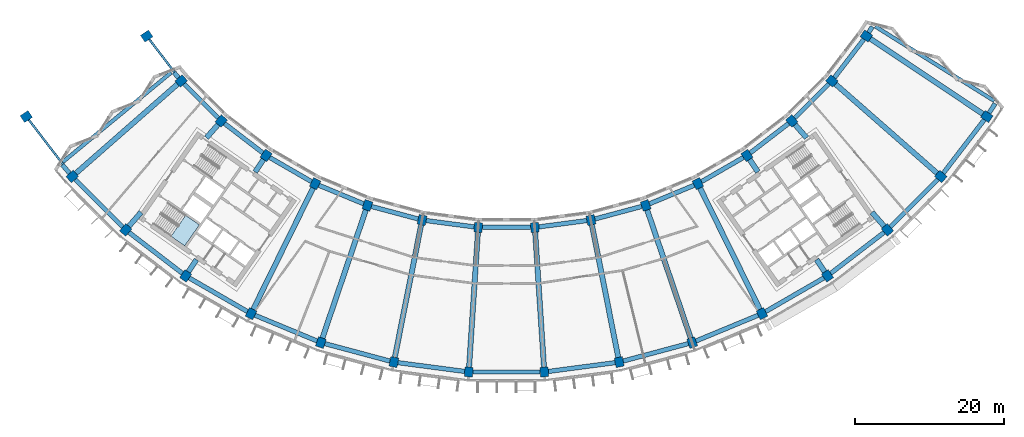
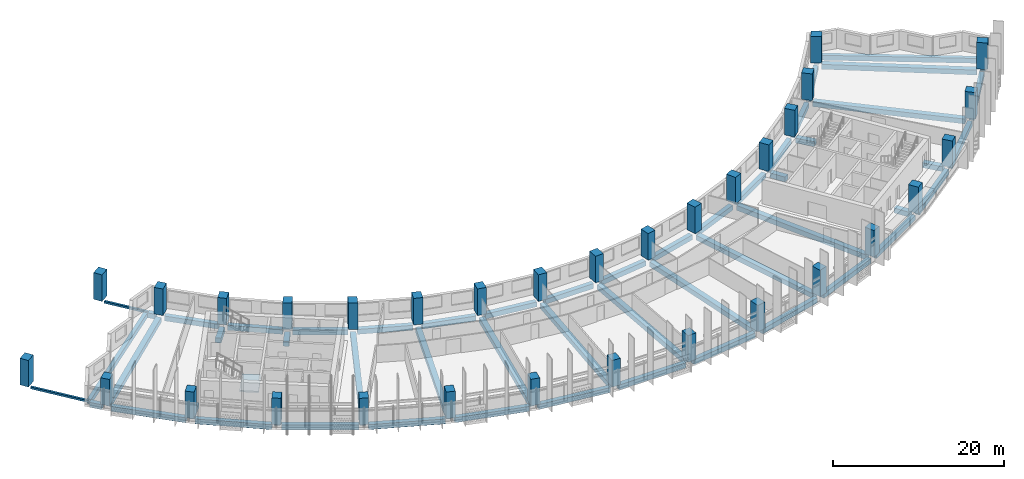
# One storey, part 1 of 27: 53 beams, 32 columns, 2 members, 1 slab, 1 element without a shape of its own.
"""IFC4 building model written with IfcOpenShell, lengths in metres."""

import ifcopenshell
import ifcopenshell.guid

model = None  # the IFC model being written
_history = None  # IfcOwnerHistory: only IFC2X3 demands one
_inside = {}  # id of a spatial element -> (the spatial element, [elements in it])
_under = {}  # id of a project, library or spatial element -> (it, [spatial elements below it])
_declared = {}  # id of a project -> (the project, [libraries it declares])
_typed = {}  # id of a type object -> (the type object, [elements of that type])
_made_of = {}  # id of a material, layer set ... -> (it, [elements and type objects made of it])


def new_model(schema):
    """Start an empty IFC model of exactly this schema.

    Asked for "IFC4X3", IfcOpenShell would pick the latest addendum, in which some entities
    have other attributes; the version numbers below select the first issue.
    IFC2X3 requires an IfcOwnerHistory on every rooted entity: one is made here for all.
    """
    global model, _history
    if schema == "IFC4X3":
        model = ifcopenshell.file(schema_version=(4, 3, 0, 0))
    else:
        model = ifcopenshell.file(schema=schema)
    _inside.clear()
    _under.clear()
    _declared.clear()
    _typed.clear()
    _made_of.clear()
    _history = None
    if model.schema == "IFC2X3":
        org = make("IfcOrganization", Name="unknown")
        user = make(
            "IfcPersonAndOrganization",
            ThePerson=make("IfcPerson", FamilyName="unknown"),
            TheOrganization=org,
        )
        app = make(
            "IfcApplication",
            ApplicationDeveloper=org,
            Version="unknown",
            ApplicationFullName="unknown",
            ApplicationIdentifier="unknown",
        )
        _history = make(
            "IfcOwnerHistory",
            OwningUser=user,
            OwningApplication=app,
            ChangeAction="ADDED",
            CreationDate=0,
        )
    return model


def make(cls, **values):
    """One entity of the class cls with the attributes given. An attribute that is None is left unset."""
    return model.create_entity(
        cls, **{name: value for name, value in values.items() if value is not None}
    )


def rooted(cls, **values):
    """An entity with a GlobalId (a new one), such as an element, a storey or a relation."""
    return make(cls, GlobalId=ifcopenshell.guid.new(), OwnerHistory=_history, **values)


def si_unit(unit_type, name, prefix=None):
    """IfcSIUnit, for example si_unit("LENGTHUNIT", "METRE", prefix="MILLI")."""
    return make("IfcSIUnit", UnitType=unit_type, Prefix=prefix, Name=name)


def assignment(units):
    """IfcUnitAssignment: the units of a project."""
    return None if units is None else make("IfcUnitAssignment", Units=units)


def point(xyz):
    """IfcCartesianPoint."""
    return None if xyz is None else make("IfcCartesianPoint", Coordinates=xyz)


def direction(xyz):
    """IfcDirection."""
    return None if xyz is None else make("IfcDirection", DirectionRatios=xyz)


def frame(location, z_axis=None, x_axis=None):
    """IfcAxis2Placement3D, a coordinate frame: its origin and axes. An axis left out is left unset."""
    return make(
        "IfcAxis2Placement3D",
        Location=point(location),
        Axis=direction(z_axis),
        RefDirection=direction(x_axis),
    )


def frame_2d(location, x_axis=None):
    """IfcAxis2Placement2D, a coordinate frame in the plane: its origin and x axis."""
    return make(
        "IfcAxis2Placement2D", Location=point(location), RefDirection=direction(x_axis)
    )


def origin():
    """The frame at (0, 0, 0) with its axes left unset."""
    return frame((0.0, 0.0, 0.0))


def origin_2d():
    """The frame at (0, 0) in the plane with its x axis left unset."""
    return frame_2d((0.0, 0.0))


def place(relative_to, where):
    """IfcLocalPlacement: puts the frame where relative to a parent placement (None: the world)."""
    return make(
        "IfcLocalPlacement", PlacementRelTo=relative_to, RelativePlacement=where
    )


def context(
    kind, dimensions, precision=None, world=None, true_north=None, identifier=None
):
    """IfcGeometricRepresentationContext, for example the 3D "Model" context."""
    return make(
        "IfcGeometricRepresentationContext",
        ContextIdentifier=identifier,
        ContextType=kind,
        CoordinateSpaceDimension=dimensions,
        Precision=precision,
        WorldCoordinateSystem=world,
        TrueNorth=true_north,
    )


def subcontext(parent, identifier, kind, view, scale=None):
    """IfcGeometricRepresentationSubContext, for example "Body" below "Model"."""
    return make(
        "IfcGeometricRepresentationSubContext",
        ContextIdentifier=identifier,
        ContextType=kind,
        ParentContext=parent,
        TargetScale=scale,
        TargetView=view,
    )


def project(units=None, contexts=None):
    """IfcProject with its units and contexts."""
    return rooted(
        "IfcProject",
        Name="project",
        RepresentationContexts=contexts,
        UnitsInContext=assignment(units),
    )


def spatial(cls, under=None, at=None, **own):
    """A site, building, storey or space (cls), placed at a placement, below another one or the project."""
    s = rooted(cls, ObjectPlacement=at, **own)
    if under is not None:
        _under.setdefault(under.id(), (under, []))[1].append(s)
    return s


def polyline(points):
    """IfcPolyline through the points."""
    return make("IfcPolyline", Points=[point(p) for p in points])


def profile(cls, at=None, kind="AREA", **sizes):
    """A parametric profile (cls). Its sizes go by their IFC names, for example OverallWidth=200.0."""
    return make(cls, ProfileType=kind, Position=at, **sizes)


def rectangle(**sizes):
    """IfcRectangleProfileDef."""
    return profile("IfcRectangleProfileDef", **sizes)


def hollow_rectangle(**sizes):
    """IfcRectangleHollowProfileDef."""
    return profile("IfcRectangleHollowProfileDef", **sizes)


def outline(outer, holes=None, kind="AREA"):
    """IfcArbitraryClosedProfileDef: a profile drawn as a closed curve; with holes, ...WithVoids."""
    if holes is None:
        return make("IfcArbitraryClosedProfileDef", ProfileType=kind, OuterCurve=outer)
    return make(
        "IfcArbitraryProfileDefWithVoids",
        ProfileType=kind,
        OuterCurve=outer,
        InnerCurves=holes,
    )


def extrude(swept, where, along, depth):
    """IfcExtrudedAreaSolid: the profile swept, set in the frame where, extruded along a direction by depth."""
    return make(
        "IfcExtrudedAreaSolid",
        SweptArea=swept,
        Position=where,
        ExtrudedDirection=direction(along),
        Depth=depth,
    )


def shape(context_of_items, identifier, shape_type, items):
    """IfcShapeRepresentation: the items that make up one representation, for example the "Body"."""
    return make(
        "IfcShapeRepresentation",
        ContextOfItems=context_of_items,
        RepresentationIdentifier=identifier,
        RepresentationType=shape_type,
        Items=items,
    )


def material(Name=None, Category=None):
    """IfcMaterial."""
    return make("IfcMaterial", Name=Name, Category=Category)


def layer(
    of_material, thickness, ventilated=None, Name=None, Category=None, Priority=None
):
    """IfcMaterialLayer: one layer of a wall or slab, of a material (None: an air gap)."""
    return make(
        "IfcMaterialLayer",
        Material=of_material,
        LayerThickness=thickness,
        IsVentilated=ventilated,
        Name=Name,
        Category=Category,
        Priority=Priority,
    )


def layer_set(layers, Name=None):
    """IfcMaterialLayerSet."""
    return make("IfcMaterialLayerSet", MaterialLayers=layers, LayerSetName=Name)


def material_profile(
    of_material, cross_section, Name=None, Category=None, Priority=None
):
    """IfcMaterialProfile: a cross section and its material."""
    return make(
        "IfcMaterialProfile",
        Name=Name,
        Material=of_material,
        Profile=cross_section,
        Priority=Priority,
        Category=Category,
    )


def profile_set(profiles, Name=None, composite=None):
    """IfcMaterialProfileSet."""
    return make(
        "IfcMaterialProfileSet",
        Name=Name,
        MaterialProfiles=profiles,
        CompositeProfile=composite,
    )


def made_of(thing, what):
    """Note that an element or type object is made of a material, layer set ...; save() writes the relation."""
    if what is not None:
        _made_of.setdefault(what.id(), (what, []))[1].append(thing)
    return thing


def type_object(cls, material=None, **own):
    """A type object (cls), such as IfcWallType, which elements share."""
    return made_of(rooted(cls, **own), material)


def element(
    cls,
    number,
    at=None,
    inside=None,
    cuts=None,
    type_object=None,
    material=None,
    context=None,
    identifier="Body",
    shape_type=None,
    held_by="IfcProductDefinitionShape",
    body=None,
    shapes=None,
    **own,
):
    """One element of the class cls, such as IfcWall. Its Tag is "e" and its number.

    at: its placement. inside: the storey or other place that contains it. cuts: it is an
    opening in that element (IfcRelVoidsElement). A single representation is given by context,
    identifier, shape_type and body (its items); several are given by shapes. held_by: the class
    of the entity that holds the representations. save() writes the other relations.
    """
    e = rooted(cls, Tag="e%d" % number, ObjectPlacement=at, **own)
    if body is not None:
        shapes = [shape(context, identifier, shape_type, body)]
    if shapes is not None:
        e.Representation = make(held_by, Representations=shapes)
    if inside is not None:
        _inside.setdefault(inside.id(), (inside, []))[1].append(e)
    if cuts is not None:
        rooted(
            "IfcRelVoidsElement", RelatingBuildingElement=cuts, RelatedOpeningElement=e
        )
    if type_object is not None:
        _typed.setdefault(type_object.id(), (type_object, []))[1].append(e)
    return made_of(e, material)


def aggregate(whole, parts):
    """IfcRelAggregates: a whole, such as a stair, and the parts it consists of."""
    return rooted("IfcRelAggregates", RelatingObject=whole, RelatedObjects=parts)


def save(model, path):
    """Write the relations noted so far, then the file.

    IfcRelAggregates (storeys below a building ...), IfcRelContainedInSpatialStructure (elements
    in a storey), IfcRelDefinesByType, IfcRelAssociatesMaterial and IfcRelDeclares: one each for
    every whole, place, type object, material and project.
    """
    for whole, parts in _under.values():
        aggregate(whole, parts)
    for where, things in _inside.values():
        rooted(
            "IfcRelContainedInSpatialStructure",
            RelatedElements=things,
            RelatingStructure=where,
        )
    for kind, things in _typed.values():
        rooted("IfcRelDefinesByType", RelatedObjects=things, RelatingType=kind)
    for what, things in _made_of.values():
        rooted("IfcRelAssociatesMaterial", RelatedObjects=things, RelatingMaterial=what)
    for by, libraries in _declared.values():
        rooted("IfcRelDeclares", RelatingContext=by, RelatedDefinitions=libraries)
    model.write(path)


model = new_model("IFC4")

# Units and contexts
model_context = context("Model", 3, precision=1e-05, world=origin(), true_north=direction((0.0, 1.0)))
body_context = subcontext(model_context, "Body", "Model", "MODEL_VIEW")
ifc_project = project(units=[si_unit("LENGTHUNIT", "METRE"), si_unit("AREAUNIT", "SQUARE_METRE"), si_unit("VOLUMEUNIT", "CUBIC_METRE"), si_unit("PLANEANGLEUNIT", "RADIAN"), si_unit("MASSUNIT", "GRAM", prefix="KILO")], contexts=[model_context])

# Site, building, storey
site_placement = place(None, origin())
site = spatial("IfcSite", under=ifc_project, at=site_placement, CompositionType="ELEMENT")
building_placement = place(site_placement, origin())
building = spatial("IfcBuilding", under=site, at=building_placement, Name="Qamariyya Broadcast Tower", CompositionType="ELEMENT")
storey_placement = place(building_placement, frame((0.0, 0.0, 164.5)))
storey = spatial("IfcBuildingStorey", under=building, at=storey_placement, Name="L38", CompositionType="ELEMENT", Elevation=164.5)

# Columns
ifc_material_1 = material(Name="Concrete C60/75", Category="concrete")
ifc_material_profile_1 = material_profile(ifc_material_1, rectangle(XDim=1.10009765625, YDim=1.300048828125, at=origin_2d()))
ifc_profile_set_1 = profile_set([ifc_material_profile_1], Name="Concrete C60/75")
column_type = type_object("IfcColumnType", Name="RC column 1100 x 1300 C60/75", PredefinedType="COLUMN", material=ifc_profile_set_1)
for number, where, z_axis, x_axis, name in (
    (1, (-43.794677734375, -38.406982421875, 0.0), (0.0, 0.0, 1.0), (0.6593458151, -0.751839807479, 0.0), "Column C8 L38 B-R04"),
    (2, (-58.45556640625, -51.26416015625, 0.0), (0.0, 0.0, 1.0), (0.6593458151, -0.751839807479, 0.0), "Column C8 L38 C-R04"),
    (3, (-38.406982421875, -43.794677734375, 0.0), (0.0, 0.0, 1.0), (0.751839807479, -0.6593458151, 0.0), "Column C8 L38 B-R05"),
    (4, (-51.26416015625, -58.45556640625, 0.0), (0.0, 0.0, 1.0), (0.751839807479, -0.6593458151, 0.0), "Column C8 L38 C-R05"),
    (5, (-32.362060546875, -48.43310546875, 0.0), (0.0, 0.0, 1.0), (0.831469612303, -0.55557023302, 0.0), "Column C8 L38 B-R06"),
    (6, (-43.195556640625, -64.646728515625, 0.0), (0.0, 0.0, 1.0), (0.831469612303, -0.55557023302, 0.0), "Column C8 L38 C-R06"),
    (7, (-25.763427734375, -52.242919921875, 0.0), (0.0, 0.0, 1.0), (0.896872741533, -0.442288690219, 0.0), "Column C8 L38 B-R07"),
    (8, (-34.387939453125, -69.73193359375, 0.0), (0.0, 0.0, 1.0), (0.896872741533, -0.442288690219, 0.0), "Column C8 L38 C-R07"),
    (9, (-18.723876953125, -55.15869140625, 0.0), (0.0, 0.0, 1.0), (0.946930129495, -0.321439465303, 0.0), "Column C8 L38 B-R08"),
    (10, (-24.991943359375, -73.623779296875, 0.0), (0.0, 0.0, 1.0), (0.946930129495, -0.321439465303, 0.0), "Column C8 L38 C-R08"),
    (11, (-11.364013671875, -57.130859375, 0.0), (0.0, 0.0, 1.0), (0.980785280403, -0.195090322016, 0.0), "Column C8 L38 B-R09"),
    (12, (-15.168212890625, -76.256103515625, 0.0), (0.0, 0.0, 1.0), (0.980785280403, -0.195090322016, 0.0), "Column C8 L38 C-R09"),
    (13, (-3.809814453125, -58.125244140625, 0.0), (0.0, 0.0, 1.0), (0.997858923239, -0.06540312923, 0.0), "Column C8 L38 B-R10"),
    (14, (-5.085205078125, -77.58349609375, 0.0), (0.0, 0.0, 1.0), (0.997858923239, -0.06540312923, 0.0), "Column C8 L38 C-R10"),
    (15, (3.809814453125, -58.125244140625, 0.0), (0.0, 0.0, 1.0), (0.997858923239, 0.06540312923, 0.0), "Column C8 L38 B-R11"),
    (16, (5.085205078125, -77.58349609375, 0.0), (0.0, 0.0, 1.0), (0.997858923239, 0.06540312923, 0.0), "Column C8 L38 C-R11"),
    (17, (11.364013671875, -57.130859375, 0.0), (0.0, 0.0, 1.0), (0.980785280403, 0.195090322016, 0.0), "Column C8 L38 B-R12"),
    (18, (15.168212890625, -76.256103515625, 0.0), (0.0, 0.0, 1.0), (0.980785280403, 0.195090322016, 0.0), "Column C8 L38 C-R12"),
    (19, (18.723876953125, -55.15869140625, 0.0), (0.0, 0.0, 1.0), (0.946930129495, 0.321439465303, 0.0), "Column C8 L38 B-R13"),
    (20, (24.991943359375, -73.623779296875, 0.0), (0.0, 0.0, 1.0), (0.946930129495, 0.321439465303, 0.0), "Column C8 L38 C-R13"),
    (21, (25.763427734375, -52.242919921875, 0.0), (0.0, 0.0, 1.0), (0.896872741533, 0.442288690219, 0.0), "Column C8 L38 B-R14"),
    (22, (34.387939453125, -69.73193359375, 0.0), (0.0, 0.0, 1.0), (0.896872741533, 0.442288690219, 0.0), "Column C8 L38 C-R14"),
    (23, (32.362060546875, -48.43310546875, 0.0), (0.0, 0.0, 1.0), (0.831469612303, 0.55557023302, 0.0), "Column C8 L38 B-R15"),
    (24, (43.195556640625, -64.646728515625, 0.0), (0.0, 0.0, 1.0), (0.831469612303, 0.55557023302, 0.0), "Column C8 L38 C-R15"),
    (25, (38.406982421875, -43.794677734375, 0.0), (0.0, 0.0, 1.0), (0.751839807479, 0.6593458151, 0.0), "Column C8 L38 B-R16"),
    (26, (51.26416015625, -58.45556640625, 0.0), (0.0, 0.0, 1.0), (0.751839807479, 0.6593458151, 0.0), "Column C8 L38 C-R16"),
    (27, (43.794677734375, -38.406982421875, 0.0), (0.0, 0.0, 1.0), (0.6593458151, 0.751839807479, 0.0), "Column C8 L38 B-R17"),
    (28, (58.45556640625, -51.26416015625, 0.0), (0.0, 0.0, 1.0), (0.6593458151, 0.751839807479, 0.0), "Column C8 L38 C-R17"),
    (29, (48.43310546875, -32.362060546875, 0.0), (0.0, 0.0, 1.0), (0.55557023302, 0.831469612303, 0.0), "Column C8 L38 B-R18"),
    (30, (64.646728515625, -43.195556640625, 0.0), (0.0, 0.0, 1.0), (0.55557023302, 0.831469612303, 0.0), "Column C8 L38 C-R18"),
    (31, (-48.43310546875, -32.362060546875, 0.0), (0.0, 0.0, 1.0), (0.55557023302, -0.831469612303, 0.0), "Column C8 L38 B-R03"),
    (32, (-64.646728515625, -43.195556640625, 0.0), (0.0, 0.0, 1.0), (0.55557023302, -0.831469612303, 0.0), "Column C8 L38 C-R03"),
):
    element("IfcColumn", number, at=place(storey_placement, frame(where, z_axis=z_axis, x_axis=x_axis)), inside=storey, type_object=column_type, Name=name, PredefinedType="COLUMN", context=body_context, shape_type="SweptSolid", body=[
        extrude(rectangle(XDim=1.10009765625, YDim=1.300048828125, at=origin_2d()), origin(), (0.0, 0.0, 1.0), 3.800048828125),
    ])

# Members
ifc_material_2 = material(Name="Steel S355", Category="steel")
ifc_material_profile_2 = material_profile(ifc_material_2, hollow_rectangle(XDim=0.300048828125, YDim=0.300048828125, WallThickness=0.012451171875, InnerFilletRadius=0.012451171875, OuterFilletRadius=0.02490234375, at=origin_2d()))
ifc_profile_set_2 = profile_set([ifc_material_profile_2], Name="Steel S355")
member_type = type_object("IfcMemberType", Name="Pylon tie RHS 300x300x12.5", PredefinedType="STRUT", material=ifc_profile_set_2)
member_1_placement = place(storey_placement, frame((-44.130126953125, -37.9697265625, -0.449951171875), z_axis=(-0.608774374473, 0.793343406719, 0.0), x_axis=(-0.793343406719, -0.608774374473, 0.0)))
element("IfcMember", 33, at=member_1_placement, inside=storey, type_object=member_type, Name="Pylon tie T1 L38 B-R03", PredefinedType="STRUT", context=body_context, shape_type="SweptSolid", body=[
    extrude(hollow_rectangle(XDim=0.300048828125, YDim=0.300048828125, WallThickness=0.012451171875, InnerFilletRadius=0.012451171875, OuterFilletRadius=0.02490234375, at=origin_2d()), origin(), (0.0, 0.0, 1.0), 6.517333984375),
])
member_2_placement = place(storey_placement, frame((-58.791015625, -50.826904296875, -0.449951171875), z_axis=(-0.608764405458, 0.793351056372, 0.0), x_axis=(-0.793351056372, -0.608764405458, 0.0)))
element("IfcMember", 34, at=member_2_placement, inside=storey, type_object=member_type, Name="Pylon tie T1 L38 C-R03", PredefinedType="STRUT", context=body_context, shape_type="SweptSolid", body=[
    extrude(hollow_rectangle(XDim=0.300048828125, YDim=0.300048828125, WallThickness=0.012451171875, InnerFilletRadius=0.012451171875, OuterFilletRadius=0.02490234375, at=origin_2d()), origin(), (0.0, 0.0, 1.0), 9.06787109375),
])

# Beams
ifc_material_3 = material(Name="Concrete C40/50", Category="concrete")
ifc_material_profile_3 = material_profile(ifc_material_3, rectangle(XDim=0.60009765625, YDim=0.699951171875, at=origin_2d()))
ifc_profile_set_3 = profile_set([ifc_material_profile_3], Name="Concrete C40/50")
beam_type_1 = type_object("IfcBeamType", Name="RC edge beam 600 x 700 C40/50", PredefinedType="SPANDREL", material=ifc_profile_set_3)
for number, where, z_axis, x_axis, name in (
    (35, (-43.405029296875, -38.796630859375, -0.64990234375), (0.707106781187, -0.707106781187, 0.0), (0.707106781187, 0.707106781187, 0.0), "Edge beam B20 L38 B R04-R05"),
    (36, (-37.9697265625, -44.130126953125, -0.64990234375), (0.793343406719, -0.608774374473, 0.0), (0.608774374473, 0.793343406719, 0.0), "Edge beam B20 L38 B R05-R06"),
):
    element("IfcBeam", number, at=place(storey_placement, frame(where, z_axis=z_axis, x_axis=x_axis)), inside=storey, type_object=beam_type_1, Name=name, PredefinedType="SPANDREL", context=body_context, shape_type="SweptSolid", body=[
        extrude(rectangle(XDim=0.60009765625, YDim=0.699951171875, at=origin_2d()), origin(), (0.0, 0.0, 1.0), 6.517333984375),
    ])
beam_1_placement = place(storey_placement, frame((-31.884521484375, -48.708740234375, -0.64990234375), z_axis=(0.866019015165, -0.500011065251, 0.0), x_axis=(0.500011065251, 0.866019015165, 0.0)))
element("IfcBeam", 37, at=beam_1_placement, inside=storey, type_object=beam_type_1, Name="Edge beam B20 L38 B R06-R07", PredefinedType="SPANDREL", context=body_context, shape_type="SweptSolid", body=[
    extrude(rectangle(XDim=0.60009765625, YDim=0.699951171875, at=origin_2d()), origin(), (0.0, 0.0, 1.0), 6.516845703125),
])
for number, where, z_axis, x_axis, name in (
    (38, (-25.254150390625, -52.453857421875, -0.64990234375), (0.923883967792, -0.382672724475, 0.0), (0.382672724475, 0.923883967792, 0.0), "Edge beam B20 L38 B R07-R08"),
    (39, (-18.19140625, -55.30126953125, -0.64990234375), (0.965923971679, -0.258825966504, 0.0), (0.258825966504, 0.965923971679, 0.0), "Edge beam B20 L38 B R08-R09"),
    (40, (-10.817626953125, -57.20263671875, -0.64990234375), (0.991446388377, -0.130514592953, 0.0), (0.130514592953, 0.991446388377, 0.0), "Edge beam B20 L38 B R09-R10"),
    (41, (-3.258544921875, -58.125244140625, -0.64990234375), (1.0, 0.0, 0.0), (0.0, 1.0, 0.0), "Edge beam B20 L38 B R10-R11"),
    (42, (4.356201171875, -58.05322265625, -0.64990234375), (0.991446388377, 0.130514592953, 0.0), (-0.130514592953, 0.991446388377, 0.0), "Edge beam B20 L38 B R11-R12"),
    (43, (11.896484375, -56.988037109375, -0.64990234375), (0.965923971679, 0.258825966504, 0.0), (-0.258825966504, 0.965923971679, 0.0), "Edge beam B20 L38 B R12-R13"),
    (44, (19.233154296875, -54.94775390625, -0.64990234375), (0.923883967792, 0.382672724475, 0.0), (-0.382672724475, 0.923883967792, 0.0), "Edge beam B20 L38 B R13-R14"),
):
    element("IfcBeam", number, at=place(storey_placement, frame(where, z_axis=z_axis, x_axis=x_axis)), inside=storey, type_object=beam_type_1, Name=name, PredefinedType="SPANDREL", context=body_context, shape_type="SweptSolid", body=[
        extrude(rectangle(XDim=0.60009765625, YDim=0.699951171875, at=origin_2d()), origin(), (0.0, 0.0, 1.0), 6.51708984375),
    ])
beam_2_placement = place(storey_placement, frame((26.24072265625, -51.96728515625, -0.64990234375), z_axis=(0.866019015165, 0.500011065251, 0.0), x_axis=(-0.500011065251, 0.866019015165, 0.0)))
element("IfcBeam", 45, at=beam_2_placement, inside=storey, type_object=beam_type_1, Name="Edge beam B20 L38 B R14-R15", PredefinedType="SPANDREL", context=body_context, shape_type="SweptSolid", body=[
    extrude(rectangle(XDim=0.60009765625, YDim=0.699951171875, at=origin_2d()), origin(), (0.0, 0.0, 1.0), 6.516845703125),
])
for number, where, z_axis, x_axis, name in (
    (46, (32.79931640625, -48.09765625, -0.64990234375), (0.793343406719, 0.608774374473, 0.0), (-0.608774374473, 0.793343406719, 0.0), "Edge beam B20 L38 B R15-R16"),
    (47, (38.796630859375, -43.405029296875, -0.64990234375), (0.707106781187, 0.707106781187, 0.0), (-0.707106781187, 0.707106781187, 0.0), "Edge beam B20 L38 B R16-R17"),
    (48, (44.130126953125, -37.9697265625, -0.64990234375), (0.608774374473, 0.793343406719, 0.0), (-0.793343406719, 0.608774374473, 0.0), "Edge beam B20 L38 B R17-R18"),
):
    element("IfcBeam", number, at=place(storey_placement, frame(where, z_axis=z_axis, x_axis=x_axis)), inside=storey, type_object=beam_type_1, Name=name, PredefinedType="SPANDREL", context=body_context, shape_type="SweptSolid", body=[
        extrude(rectangle(XDim=0.60009765625, YDim=0.699951171875, at=origin_2d()), origin(), (0.0, 0.0, 1.0), 6.517333984375),
    ])
beam_3_placement = place(storey_placement, frame((-58.06591796875, -51.65380859375, -0.64990234375), z_axis=(0.707106781187, -0.707106781187, 0.0), x_axis=(0.707106781187, 0.707106781187, 0.0)))
element("IfcBeam", 49, at=beam_3_placement, inside=storey, type_object=beam_type_1, Name="Edge beam B20 L38 C R04-R05", PredefinedType="SPANDREL", context=body_context, shape_type="SweptSolid", body=[
    extrude(rectangle(XDim=0.60009765625, YDim=0.699951171875, at=origin_2d()), origin(), (0.0, 0.0, 1.0), 9.068115234375),
])
for number, where, z_axis, x_axis, name in (
    (50, (-50.826904296875, -58.791015625, -0.64990234375), (0.793351056372, -0.608764405458, 0.0), (0.608764405458, 0.793351056372, 0.0), "Edge beam B20 L38 C R05-R06"),
    (51, (-42.71826171875, -64.92236328125, -0.64990234375), (0.866025972227, -0.499999015427, 0.0), (0.499999015427, 0.866025972227, 0.0), "Edge beam B20 L38 C R06-R07"),
):
    element("IfcBeam", number, at=place(storey_placement, frame(where, z_axis=z_axis, x_axis=x_axis)), inside=storey, type_object=beam_type_1, Name=name, PredefinedType="SPANDREL", context=body_context, shape_type="SweptSolid", body=[
        extrude(rectangle(XDim=0.60009765625, YDim=0.699951171875, at=origin_2d()), origin(), (0.0, 0.0, 1.0), 9.06787109375),
    ])
beam_4_placement = place(storey_placement, frame((-33.878662109375, -69.94287109375, -0.64990234375), z_axis=(0.923882618409, -0.382675982265, 0.0), x_axis=(0.382675982265, 0.923882618409, 0.0)))
element("IfcBeam", 52, at=beam_4_placement, inside=storey, type_object=beam_type_1, Name="Edge beam B20 L38 C R07-R08", PredefinedType="SPANDREL", context=body_context, shape_type="SweptSolid", body=[
    extrude(rectangle(XDim=0.60009765625, YDim=0.699951171875, at=origin_2d()), origin(), (0.0, 0.0, 1.0), 9.067626953125),
])
for number, where, z_axis, x_axis, name in (
    (53, (-24.45947265625, -73.766357421875, -0.64990234375), (0.965925457615, -0.258820421007, 0.0), (0.258820421007, 0.965925457615, 0.0), "Edge beam B20 L38 C R08-R09"),
    (54, (-14.621826171875, -76.327880859375, -0.64990234375), (0.991444762322, -0.130526944594, 0.0), (0.130526944594, 0.991444762322, 0.0), "Edge beam B20 L38 C R09-R10"),
    (55, (-4.533935546875, -77.58349609375, -0.64990234375), (1.0, 0.0, 0.0), (0.0, 1.0, 0.0), "Edge beam B20 L38 C R10-R11"),
    (56, (5.631591796875, -77.511474609375, -0.64990234375), (0.991444762322, 0.130526944594, 0.0), (-0.130526944594, 0.991444762322, 0.0), "Edge beam B20 L38 C R11-R12"),
    (57, (15.70068359375, -76.11328125, -0.64990234375), (0.965925457615, 0.258820421007, 0.0), (-0.258820421007, 0.965925457615, 0.0), "Edge beam B20 L38 C R12-R13"),
):
    element("IfcBeam", number, at=place(storey_placement, frame(where, z_axis=z_axis, x_axis=x_axis)), inside=storey, type_object=beam_type_1, Name=name, PredefinedType="SPANDREL", context=body_context, shape_type="SweptSolid", body=[
        extrude(rectangle(XDim=0.60009765625, YDim=0.699951171875, at=origin_2d()), origin(), (0.0, 0.0, 1.0), 9.06787109375),
    ])
beam_5_placement = place(storey_placement, frame((25.501220703125, -73.412841796875, -0.64990234375), z_axis=(0.923882618409, 0.382675982265, 0.0), x_axis=(-0.382675982265, 0.923882618409, 0.0)))
element("IfcBeam", 58, at=beam_5_placement, inside=storey, type_object=beam_type_1, Name="Edge beam B20 L38 C R13-R14", PredefinedType="SPANDREL", context=body_context, shape_type="SweptSolid", body=[
    extrude(rectangle(XDim=0.60009765625, YDim=0.699951171875, at=origin_2d()), origin(), (0.0, 0.0, 1.0), 9.067626953125),
])
for number, where, z_axis, x_axis, name in (
    (59, (34.865234375, -69.456298828125, -0.64990234375), (0.866025972227, 0.499999015427, 0.0), (-0.499999015427, 0.866025972227, 0.0), "Edge beam B20 L38 C R14-R15"),
    (60, (43.6328125, -64.311279296875, -0.64990234375), (0.793351056372, 0.608764405458, 0.0), (-0.608764405458, 0.793351056372, 0.0), "Edge beam B20 L38 C R15-R16"),
):
    element("IfcBeam", number, at=place(storey_placement, frame(where, z_axis=z_axis, x_axis=x_axis)), inside=storey, type_object=beam_type_1, Name=name, PredefinedType="SPANDREL", context=body_context, shape_type="SweptSolid", body=[
        extrude(rectangle(XDim=0.60009765625, YDim=0.699951171875, at=origin_2d()), origin(), (0.0, 0.0, 1.0), 9.06787109375),
    ])
beam_6_placement = place(storey_placement, frame((51.65380859375, -58.06591796875, -0.64990234375), z_axis=(0.707106781187, 0.707106781187, 0.0), x_axis=(-0.707106781187, 0.707106781187, 0.0)))
element("IfcBeam", 61, at=beam_6_placement, inside=storey, type_object=beam_type_1, Name="Edge beam B20 L38 C R16-R17", PredefinedType="SPANDREL", context=body_context, shape_type="SweptSolid", body=[
    extrude(rectangle(XDim=0.60009765625, YDim=0.699951171875, at=origin_2d()), origin(), (0.0, 0.0, 1.0), 9.068115234375),
])
beam_7_placement = place(storey_placement, frame((58.791015625, -50.826904296875, -0.64990234375), z_axis=(0.608764405458, 0.793351056372, 0.0), x_axis=(-0.793351056372, 0.608764405458, 0.0)))
element("IfcBeam", 62, at=beam_7_placement, inside=storey, type_object=beam_type_1, Name="Edge beam B20 L38 C R17-R18", PredefinedType="SPANDREL", context=body_context, shape_type="SweptSolid", body=[
    extrude(rectangle(XDim=0.60009765625, YDim=0.699951171875, at=origin_2d()), origin(), (0.0, 0.0, 1.0), 9.06787109375),
])
ifc_material_profile_4 = material_profile(ifc_material_3, rectangle(XDim=0.60009765625, YDim=0.699951171875, at=origin_2d()))
ifc_profile_set_4 = profile_set([ifc_material_profile_4], Name="Concrete C40/50")
beam_type_2 = type_object("IfcBeamType", Name="RC horn beam 600 x 700 C40/50", PredefinedType="BEAM", material=ifc_profile_set_4)
beam_8_placement = place(storey_placement, frame((-44.151123046875, -37.988037109375, -0.64990234375), z_axis=(-0.648096048004, 0.761558607437, 0.0), x_axis=(-0.761558607437, -0.648096048004, 0.0)))
element("IfcBeam", 63, at=beam_8_placement, inside=storey, type_object=beam_type_2, Name="Horn beam B19 L38 W B-R04", PredefinedType="BEAM", context=body_context, shape_type="SweptSolid", body=[
    extrude(rectangle(XDim=0.60009765625, YDim=0.699951171875, at=origin_2d()), origin(), (0.0, 0.0, 1.0), 0.933837890625),
])
beam_9_placement = place(storey_placement, frame((-58.81201171875, -50.84521484375, -0.64990234375), z_axis=(-0.648078843707, 0.761573248177, 0.0), x_axis=(-0.761573248177, -0.648078843707, 0.0)))
element("IfcBeam", 64, at=beam_9_placement, inside=storey, type_object=beam_type_2, Name="Horn beam B19 L38 W C-R04", PredefinedType="BEAM", context=body_context, shape_type="SweptSolid", body=[
    extrude(rectangle(XDim=0.60009765625, YDim=0.699951171875, at=origin_2d()), origin(), (0.0, 0.0, 1.0), 1.514404296875),
])
beam_10_placement = place(storey_placement, frame((48.73193359375, -31.900146484375, -0.64990234375), z_axis=(0.543001933823, 0.839731445085, 0.0), x_axis=(-0.839731445085, 0.543001933823, 0.0)))
element("IfcBeam", 65, at=beam_10_placement, inside=storey, type_object=beam_type_2, Name="Horn beam B19 L38 E B-R18", PredefinedType="BEAM", context=body_context, shape_type="SweptSolid", body=[
    extrude(rectangle(XDim=0.60009765625, YDim=0.699951171875, at=origin_2d()), origin(), (0.0, 0.0, 1.0), 0.933837890625),
])
beam_11_placement = place(storey_placement, frame((64.945556640625, -42.733642578125, -0.64990234375), z_axis=(0.543151003155, 0.839635032482, 0.0), x_axis=(-0.839635032482, 0.543151003155, 0.0)))
element("IfcBeam", 66, at=beam_11_placement, inside=storey, type_object=beam_type_2, Name="Horn beam B19 L38 E C-R18", PredefinedType="BEAM", context=body_context, shape_type="SweptSolid", body=[
    extrude(rectangle(XDim=0.60009765625, YDim=0.699951171875, at=origin_2d()), origin(), (0.0, 0.0, 1.0), 1.514404296875),
])
ifc_material_profile_5 = material_profile(ifc_material_3, rectangle(XDim=0.5, YDim=0.699951171875, at=origin_2d()))
ifc_profile_set_5 = profile_set([ifc_material_profile_5], Name="Concrete C40/50")
beam_type_3 = type_object("IfcBeamType", Name="RC horn cap beam 500 x 700 C40/50", PredefinedType="BEAM", material=ifc_profile_set_5)
for number, where, z_axis, x_axis, name in (
    (67, (-45.149658203125, -37.27734375, -0.64990234375), (-0.771132422827, -0.636674788621, 0.0), (0.636674788621, -0.771132422827, 0.0), "Horn cap beam B21 L38 W B-C"),
    (68, (49.629150390625, -31.065185546875, -0.64990234375), (0.847631622425, -0.530585179462, 0.0), (0.530585179462, 0.847631622425, 0.0), "Horn cap beam B21 L38 E B-C"),
):
    element("IfcBeam", number, at=place(storey_placement, frame(where, z_axis=z_axis, x_axis=x_axis)), inside=storey, type_object=beam_type_3, Name=name, PredefinedType="BEAM", context=body_context, shape_type="SweptSolid", body=[
        extrude(rectangle(XDim=0.5, YDim=0.699951171875, at=origin_2d()), origin(), (0.0, 0.0, 1.0), 18.900146484375),
    ])
ifc_material_profile_6 = material_profile(ifc_material_3, rectangle(XDim=0.699951171875, YDim=0.699951171875, at=origin_2d()))
ifc_profile_set_6 = profile_set([ifc_material_profile_6], Name="Concrete C40/50")
beam_type_4 = type_object("IfcBeamType", Name="RC radial beam 700 x 700 C40/50", PredefinedType="BEAM", material=ifc_profile_set_6)
beam_12_placement = place(storey_placement, frame((-44.283447265625, -38.83544921875, -0.64990234375), z_axis=(-0.751839141307, -0.659346574723, 0.0), x_axis=(0.659346574723, -0.751839141307, 0.0)))
element("IfcBeam", 69, at=beam_12_placement, inside=storey, type_object=beam_type_4, Name="Radial beam B18 L38 R04 B-C", PredefinedType="BEAM", context=body_context, shape_type="SweptSolid", body=[
    extrude(rectangle(XDim=0.699951171875, YDim=0.699951171875, at=origin_2d()), origin(), (0.0, 0.0, 1.0), 18.199951171875),
])
beam_13_placement = place(storey_placement, frame((-38.83544921875, -44.283447265625, -0.64990234375), z_axis=(-0.659381501846, -0.751808509544, 0.0), x_axis=(0.751808509544, -0.659381501846, 0.0)))
element("IfcBeam", 70, at=beam_13_placement, inside=storey, type_object=beam_type_4, Name="Radial beam B18 L38 R05 B-C", PredefinedType="BEAM", context=body_context, shape_type="SweptSolid", body=[
    extrude(rectangle(XDim=0.699951171875, YDim=0.699951171875, at=origin_2d()), origin(), (0.0, 0.0, 1.0), 2.364013671875),
])
beam_14_placement = place(storey_placement, frame((-49.1943359375, -56.095458984375, -0.64990234375), z_axis=(-0.659344451764, -0.75184100309, 0.0), x_axis=(0.75184100309, -0.659344451764, 0.0)))
element("IfcBeam", 71, at=beam_14_placement, inside=storey, type_object=beam_type_4, Name="Radial beam B18 L38 R05 B-C", PredefinedType="BEAM", context=body_context, shape_type="SweptSolid", body=[
    extrude(rectangle(XDim=0.699951171875, YDim=0.699951171875, at=origin_2d()), origin(), (0.0, 0.0, 1.0), 2.489013671875),
])
beam_15_placement = place(storey_placement, frame((-32.72314453125, -48.9736328125, -0.64990234375), z_axis=(-0.555594913414, -0.83145312086, 0.0), x_axis=(0.83145312086, -0.555594913414, 0.0)))
element("IfcBeam", 72, at=beam_15_placement, inside=storey, type_object=beam_type_4, Name="Radial beam B18 L38 R06 B-C", PredefinedType="BEAM", context=body_context, shape_type="SweptSolid", body=[
    extrude(rectangle(XDim=0.699951171875, YDim=0.699951171875, at=origin_2d()), origin(), (0.0, 0.0, 1.0), 2.014404296875),
])
beam_16_placement = place(storey_placement, frame((-41.733154296875, -62.458251953125, -0.64990234375), z_axis=(-0.555637861027, -0.831424420734, 0.0), x_axis=(0.831424420734, -0.555637861027, 0.0)))
element("IfcBeam", 73, at=beam_16_placement, inside=storey, type_object=beam_type_4, Name="Radial beam B18 L38 R06 B-C", PredefinedType="BEAM", context=body_context, shape_type="SweptSolid", body=[
    extrude(rectangle(XDim=0.699951171875, YDim=0.699951171875, at=origin_2d()), origin(), (0.0, 0.0, 1.0), 1.982177734375),
])
beam_17_placement = place(storey_placement, frame((-26.05078125, -52.82568359375, -0.64990234375), z_axis=(-0.44228110273, -0.896876483228, 0.0), x_axis=(0.896876483228, -0.44228110273, 0.0)))
element("IfcBeam", 74, at=beam_17_placement, inside=storey, type_object=beam_type_4, Name="Radial beam B18 L38 R07 B-C", PredefinedType="BEAM", context=body_context, shape_type="SweptSolid", body=[
    extrude(rectangle(XDim=0.699951171875, YDim=0.699951171875, at=origin_2d()), origin(), (0.0, 0.0, 1.0), 18.2001953125),
])
beam_18_placement = place(storey_placement, frame((-18.932861328125, -55.774169921875, -0.64990234375), z_axis=(-0.321434466477, -0.946931826353, 0.0), x_axis=(0.946931826353, -0.321434466477, 0.0)))
element("IfcBeam", 75, at=beam_18_placement, inside=storey, type_object=beam_type_4, Name="Radial beam B18 L38 R08 B-C", PredefinedType="BEAM", context=body_context, shape_type="SweptSolid", body=[
    extrude(rectangle(XDim=0.699951171875, YDim=0.699951171875, at=origin_2d()), origin(), (0.0, 0.0, 1.0), 18.199951171875),
])
beam_19_placement = place(storey_placement, frame((-11.49072265625, -57.768310546875, -0.64990234375), z_axis=(-0.195097061093, -0.980783939893, 0.0), x_axis=(0.980783939893, -0.195097061093, 0.0)))
element("IfcBeam", 76, at=beam_19_placement, inside=storey, type_object=beam_type_4, Name="Radial beam B18 L38 R09 B-C", PredefinedType="BEAM", context=body_context, shape_type="SweptSolid", body=[
    extrude(rectangle(XDim=0.699951171875, YDim=0.699951171875, at=origin_2d()), origin(), (0.0, 0.0, 1.0), 18.2001953125),
])
for number, where, z_axis, x_axis, name in (
    (77, (-3.852294921875, -58.77392578125, -0.64990234375), (-0.065395361188, -0.997859432353, 0.0), (0.997859432353, -0.065395361188, 0.0), "Radial beam B18 L38 R10 B-C"),
    (78, (3.852294921875, -58.77392578125, -0.64990234375), (0.065395361188, -0.997859432353, 0.0), (0.997859432353, 0.065395361188, 0.0), "Radial beam B18 L38 R11 B-C"),
):
    element("IfcBeam", number, at=place(storey_placement, frame(where, z_axis=z_axis, x_axis=x_axis)), inside=storey, type_object=beam_type_4, Name=name, PredefinedType="BEAM", context=body_context, shape_type="SweptSolid", body=[
        extrude(rectangle(XDim=0.699951171875, YDim=0.699951171875, at=origin_2d()), origin(), (0.0, 0.0, 1.0), 18.199951171875),
    ])
beam_20_placement = place(storey_placement, frame((11.49072265625, -57.768310546875, -0.64990234375), z_axis=(0.195097061093, -0.980783939893, 0.0), x_axis=(0.980783939893, 0.195097061093, 0.0)))
element("IfcBeam", 79, at=beam_20_placement, inside=storey, type_object=beam_type_4, Name="Radial beam B18 L38 R12 B-C", PredefinedType="BEAM", context=body_context, shape_type="SweptSolid", body=[
    extrude(rectangle(XDim=0.699951171875, YDim=0.699951171875, at=origin_2d()), origin(), (0.0, 0.0, 1.0), 18.2001953125),
])
beam_21_placement = place(storey_placement, frame((18.932861328125, -55.774169921875, -0.64990234375), z_axis=(0.321434466477, -0.946931826353, 0.0), x_axis=(0.946931826353, 0.321434466477, 0.0)))
element("IfcBeam", 80, at=beam_21_placement, inside=storey, type_object=beam_type_4, Name="Radial beam B18 L38 R13 B-C", PredefinedType="BEAM", context=body_context, shape_type="SweptSolid", body=[
    extrude(rectangle(XDim=0.699951171875, YDim=0.699951171875, at=origin_2d()), origin(), (0.0, 0.0, 1.0), 18.199951171875),
])
beam_22_placement = place(storey_placement, frame((26.05078125, -52.82568359375, -0.64990234375), z_axis=(0.44228110273, -0.896876483228, 0.0), x_axis=(0.896876483228, 0.44228110273, 0.0)))
element("IfcBeam", 81, at=beam_22_placement, inside=storey, type_object=beam_type_4, Name="Radial beam B18 L38 R14 B-C", PredefinedType="BEAM", context=body_context, shape_type="SweptSolid", body=[
    extrude(rectangle(XDim=0.699951171875, YDim=0.699951171875, at=origin_2d()), origin(), (0.0, 0.0, 1.0), 18.2001953125),
])
beam_23_placement = place(storey_placement, frame((32.72314453125, -48.9736328125, -0.64990234375), z_axis=(0.555594913414, -0.83145312086, 0.0), x_axis=(0.83145312086, 0.555594913414, 0.0)))
element("IfcBeam", 82, at=beam_23_placement, inside=storey, type_object=beam_type_4, Name="Radial beam B18 L38 R15 B-C", PredefinedType="BEAM", context=body_context, shape_type="SweptSolid", body=[
    extrude(rectangle(XDim=0.699951171875, YDim=0.699951171875, at=origin_2d()), origin(), (0.0, 0.0, 1.0), 2.014404296875),
])
beam_24_placement = place(storey_placement, frame((41.733154296875, -62.458251953125, -0.64990234375), z_axis=(0.555637861027, -0.831424420734, 0.0), x_axis=(0.831424420734, 0.555637861027, 0.0)))
element("IfcBeam", 83, at=beam_24_placement, inside=storey, type_object=beam_type_4, Name="Radial beam B18 L38 R15 B-C", PredefinedType="BEAM", context=body_context, shape_type="SweptSolid", body=[
    extrude(rectangle(XDim=0.699951171875, YDim=0.699951171875, at=origin_2d()), origin(), (0.0, 0.0, 1.0), 1.982177734375),
])
beam_25_placement = place(storey_placement, frame((38.83544921875, -44.283447265625, -0.64990234375), z_axis=(0.659381501846, -0.751808509544, 0.0), x_axis=(0.751808509544, 0.659381501846, 0.0)))
element("IfcBeam", 84, at=beam_25_placement, inside=storey, type_object=beam_type_4, Name="Radial beam B18 L38 R16 B-C", PredefinedType="BEAM", context=body_context, shape_type="SweptSolid", body=[
    extrude(rectangle(XDim=0.699951171875, YDim=0.699951171875, at=origin_2d()), origin(), (0.0, 0.0, 1.0), 2.364013671875),
])
beam_26_placement = place(storey_placement, frame((49.1943359375, -56.095458984375, -0.64990234375), z_axis=(0.659344451764, -0.75184100309, 0.0), x_axis=(0.75184100309, 0.659344451764, 0.0)))
element("IfcBeam", 85, at=beam_26_placement, inside=storey, type_object=beam_type_4, Name="Radial beam B18 L38 R16 B-C", PredefinedType="BEAM", context=body_context, shape_type="SweptSolid", body=[
    extrude(rectangle(XDim=0.699951171875, YDim=0.699951171875, at=origin_2d()), origin(), (0.0, 0.0, 1.0), 2.489013671875),
])
beam_27_placement = place(storey_placement, frame((44.283447265625, -38.83544921875, -0.64990234375), z_axis=(0.751839141307, -0.659346574723, 0.0), x_axis=(0.659346574723, 0.751839141307, 0.0)))
element("IfcBeam", 86, at=beam_27_placement, inside=storey, type_object=beam_type_4, Name="Radial beam B18 L38 R17 B-C", PredefinedType="BEAM", context=body_context, shape_type="SweptSolid", body=[
    extrude(rectangle(XDim=0.699951171875, YDim=0.699951171875, at=origin_2d()), origin(), (0.0, 0.0, 1.0), 18.199951171875),
])
beam_28_placement = place(storey_placement, frame((48.9736328125, -32.72314453125, -0.64990234375), z_axis=(0.831467855631, -0.555572862056, 0.0), x_axis=(0.555572862056, 0.831467855631, 0.0)))
element("IfcBeam", 87, at=beam_28_placement, inside=storey, type_object=beam_type_4, Name="Radial beam B18 L38 R18 B-C", PredefinedType="BEAM", context=body_context, shape_type="SweptSolid", body=[
    extrude(rectangle(XDim=0.699951171875, YDim=0.699951171875, at=origin_2d()), origin(), (0.0, 0.0, 1.0), 18.19970703125),
])

# Stair, slab
ifc_material_4 = material(Name="Concrete C50/60", Category="concrete")
stair_type = type_object("IfcStairType", Name="Exit stair 22 risers of 173 mm", PredefinedType="HALF_TURN_STAIR", material=ifc_material_4)
stair_placement = place(storey_placement, origin())
stair = element("IfcStair", 88, at=stair_placement, inside=storey, type_object=stair_type, Name="L38 Stair W1", PredefinedType="HALF_TURN_STAIR")
ifc_layer = layer(ifc_material_4, 0.199951171875)
ifc_layer_set = layer_set([ifc_layer], Name="Stair landing")
slab_type = type_object("IfcSlabType", Name="Stair landing", PredefinedType="LANDING", material=ifc_layer_set)
slab_placement = place(storey_placement, frame((0.0, 0.0, 1.699951171875)))
slab = element("IfcSlab", 89, at=slab_placement, type_object=slab_type, Name="ST-W1 landing 1", PredefinedType="LANDING", context=body_context, shape_type="SweptSolid", body=[
    extrude(outline(polyline([(-45.169677734375, -59.319580078125), (-43.3271484375, -60.609619140625), (-41.348388671875, -57.783447265625), (-43.19091796875, -56.493408203125), (-45.169677734375, -59.319580078125)])), origin(), (0.0, 0.0, 1.0), 0.199951171875),
])
aggregate(stair, [slab])

save(model, "model.ifc")
